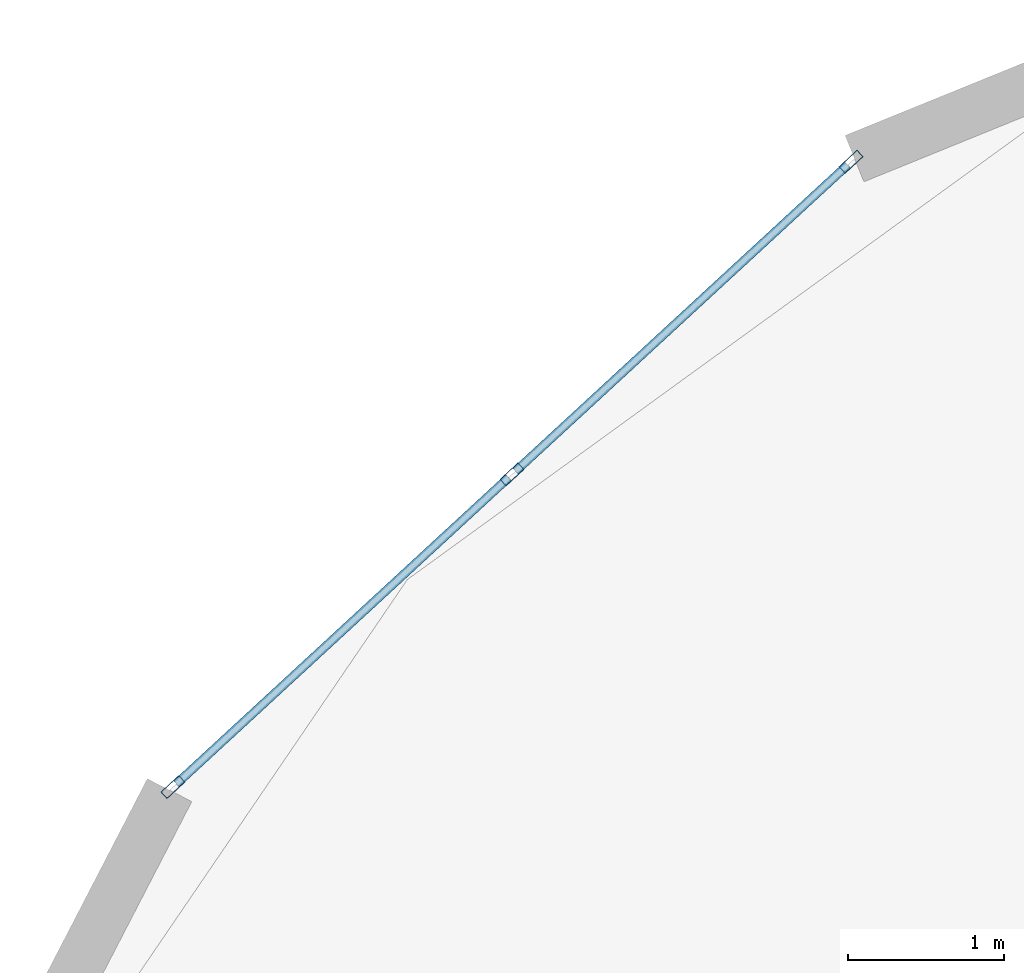
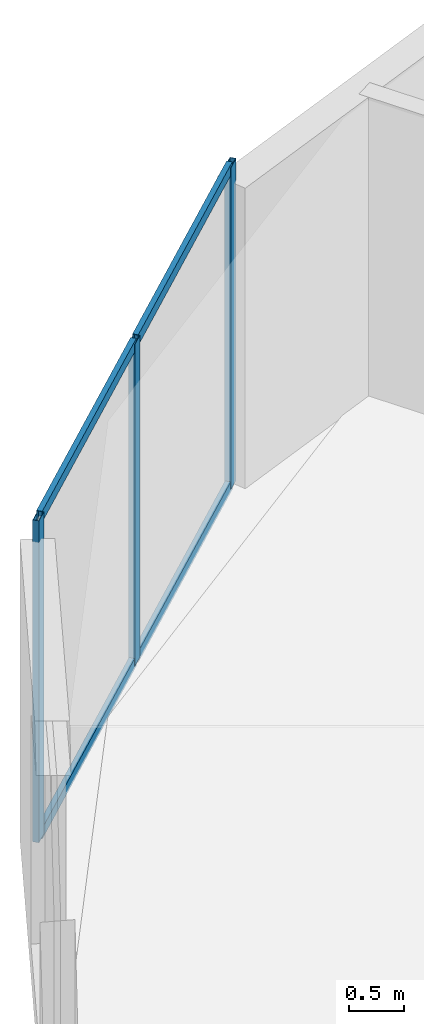
# One storey, part 15 of 24: 7 members, 1 element without a shape of its own.
"""IFC4 building model written with IfcOpenShell, lengths in metres."""

import ifcopenshell
import ifcopenshell.guid

model = None  # the IFC model being written
_history = None  # IfcOwnerHistory: only IFC2X3 demands one
_inside = {}  # id of a spatial element -> (the spatial element, [elements in it])
_under = {}  # id of a project, library or spatial element -> (it, [spatial elements below it])
_declared = {}  # id of a project -> (the project, [libraries it declares])
_typed = {}  # id of a type object -> (the type object, [elements of that type])
_made_of = {}  # id of a material, layer set ... -> (it, [elements and type objects made of it])


def new_model(schema):
    """Start an empty IFC model of exactly this schema.

    Asked for "IFC4X3", IfcOpenShell would pick the latest addendum, in which some entities
    have other attributes; the version numbers below select the first issue.
    IFC2X3 requires an IfcOwnerHistory on every rooted entity: one is made here for all.
    """
    global model, _history
    if schema == "IFC4X3":
        model = ifcopenshell.file(schema_version=(4, 3, 0, 0))
    else:
        model = ifcopenshell.file(schema=schema)
    _inside.clear()
    _under.clear()
    _declared.clear()
    _typed.clear()
    _made_of.clear()
    _history = None
    if model.schema == "IFC2X3":
        org = make("IfcOrganization", Name="unknown")
        user = make(
            "IfcPersonAndOrganization",
            ThePerson=make("IfcPerson", FamilyName="unknown"),
            TheOrganization=org,
        )
        app = make(
            "IfcApplication",
            ApplicationDeveloper=org,
            Version="unknown",
            ApplicationFullName="unknown",
            ApplicationIdentifier="unknown",
        )
        _history = make(
            "IfcOwnerHistory",
            OwningUser=user,
            OwningApplication=app,
            ChangeAction="ADDED",
            CreationDate=0,
        )
    return model


def make(cls, **values):
    """One entity of the class cls with the attributes given. An attribute that is None is left unset."""
    return model.create_entity(
        cls, **{name: value for name, value in values.items() if value is not None}
    )


def rooted(cls, **values):
    """An entity with a GlobalId (a new one), such as an element, a storey or a relation."""
    return make(cls, GlobalId=ifcopenshell.guid.new(), OwnerHistory=_history, **values)


def si_unit(unit_type, name, prefix=None):
    """IfcSIUnit, for example si_unit("LENGTHUNIT", "METRE", prefix="MILLI")."""
    return make("IfcSIUnit", UnitType=unit_type, Prefix=prefix, Name=name)


def assignment(units):
    """IfcUnitAssignment: the units of a project."""
    return None if units is None else make("IfcUnitAssignment", Units=units)


def point(xyz):
    """IfcCartesianPoint."""
    return None if xyz is None else make("IfcCartesianPoint", Coordinates=xyz)


def direction(xyz):
    """IfcDirection."""
    return None if xyz is None else make("IfcDirection", DirectionRatios=xyz)


def frame(location, z_axis=None, x_axis=None):
    """IfcAxis2Placement3D, a coordinate frame: its origin and axes. An axis left out is left unset."""
    return make(
        "IfcAxis2Placement3D",
        Location=point(location),
        Axis=direction(z_axis),
        RefDirection=direction(x_axis),
    )


def frame_2d(location, x_axis=None):
    """IfcAxis2Placement2D, a coordinate frame in the plane: its origin and x axis."""
    return make(
        "IfcAxis2Placement2D", Location=point(location), RefDirection=direction(x_axis)
    )


def origin():
    """The frame at (0, 0, 0) with its axes left unset."""
    return frame((0.0, 0.0, 0.0))


def origin_2d():
    """The frame at (0, 0) in the plane with its x axis left unset."""
    return frame_2d((0.0, 0.0))


def place(relative_to, where):
    """IfcLocalPlacement: puts the frame where relative to a parent placement (None: the world)."""
    return make(
        "IfcLocalPlacement", PlacementRelTo=relative_to, RelativePlacement=where
    )


def context(
    kind, dimensions, precision=None, world=None, true_north=None, identifier=None
):
    """IfcGeometricRepresentationContext, for example the 3D "Model" context."""
    return make(
        "IfcGeometricRepresentationContext",
        ContextIdentifier=identifier,
        ContextType=kind,
        CoordinateSpaceDimension=dimensions,
        Precision=precision,
        WorldCoordinateSystem=world,
        TrueNorth=true_north,
    )


def subcontext(parent, identifier, kind, view, scale=None):
    """IfcGeometricRepresentationSubContext, for example "Body" below "Model"."""
    return make(
        "IfcGeometricRepresentationSubContext",
        ContextIdentifier=identifier,
        ContextType=kind,
        ParentContext=parent,
        TargetScale=scale,
        TargetView=view,
    )


def project(units=None, contexts=None):
    """IfcProject with its units and contexts."""
    return rooted(
        "IfcProject",
        Name="project",
        RepresentationContexts=contexts,
        UnitsInContext=assignment(units),
    )


def spatial(cls, under=None, at=None, **own):
    """A site, building, storey or space (cls), placed at a placement, below another one or the project."""
    s = rooted(cls, ObjectPlacement=at, **own)
    if under is not None:
        _under.setdefault(under.id(), (under, []))[1].append(s)
    return s


def profile(cls, at=None, kind="AREA", **sizes):
    """A parametric profile (cls). Its sizes go by their IFC names, for example OverallWidth=200.0."""
    return make(cls, ProfileType=kind, Position=at, **sizes)


def hollow_rectangle(**sizes):
    """IfcRectangleHollowProfileDef."""
    return profile("IfcRectangleHollowProfileDef", **sizes)


def extrude(swept, where, along, depth):
    """IfcExtrudedAreaSolid: the profile swept, set in the frame where, extruded along a direction by depth."""
    return make(
        "IfcExtrudedAreaSolid",
        SweptArea=swept,
        Position=where,
        ExtrudedDirection=direction(along),
        Depth=depth,
    )


def shape(context_of_items, identifier, shape_type, items):
    """IfcShapeRepresentation: the items that make up one representation, for example the "Body"."""
    return make(
        "IfcShapeRepresentation",
        ContextOfItems=context_of_items,
        RepresentationIdentifier=identifier,
        RepresentationType=shape_type,
        Items=items,
    )


def source(mapping_origin, context_of_items, identifier, shape_type, items):
    """IfcRepresentationMap: a shape defined once, which mapped items show again and again."""
    return make(
        "IfcRepresentationMap",
        MappingOrigin=mapping_origin,
        MappedRepresentation=shape(context_of_items, identifier, shape_type, items),
    )


def transform(
    local_origin,
    x_axis=None,
    y_axis=None,
    z_axis=None,
    scale=None,
    scale2=None,
    scale3=None,
    uniform=True,
):
    """IfcCartesianTransformationOperator3D, or its non-uniform kind. x_axis, y_axis, z_axis: its Axis1, 2, 3."""
    if uniform:
        return make(
            "IfcCartesianTransformationOperator3D",
            Axis1=direction(x_axis),
            Axis2=direction(y_axis),
            LocalOrigin=point(local_origin),
            Scale=scale,
            Axis3=direction(z_axis),
        )
    return make(
        "IfcCartesianTransformationOperator3DnonUniform",
        Axis1=direction(x_axis),
        Axis2=direction(y_axis),
        LocalOrigin=point(local_origin),
        Scale=scale,
        Axis3=direction(z_axis),
        Scale2=scale2,
        Scale3=scale3,
    )


def mapped(mapping_source, mapping_target):
    """IfcMappedItem: shows the shape of a source again, moved by a transform."""
    return make(
        "IfcMappedItem", MappingSource=mapping_source, MappingTarget=mapping_target
    )


def material(Name=None, Category=None):
    """IfcMaterial."""
    return make("IfcMaterial", Name=Name, Category=Category)


def layer(
    of_material, thickness, ventilated=None, Name=None, Category=None, Priority=None
):
    """IfcMaterialLayer: one layer of a wall or slab, of a material (None: an air gap)."""
    return make(
        "IfcMaterialLayer",
        Material=of_material,
        LayerThickness=thickness,
        IsVentilated=ventilated,
        Name=Name,
        Category=Category,
        Priority=Priority,
    )


def layer_set(layers, Name=None):
    """IfcMaterialLayerSet."""
    return make("IfcMaterialLayerSet", MaterialLayers=layers, LayerSetName=Name)


def material_profile(
    of_material, cross_section, Name=None, Category=None, Priority=None
):
    """IfcMaterialProfile: a cross section and its material."""
    return make(
        "IfcMaterialProfile",
        Name=Name,
        Material=of_material,
        Profile=cross_section,
        Priority=Priority,
        Category=Category,
    )


def profile_set(profiles, Name=None, composite=None):
    """IfcMaterialProfileSet."""
    return make(
        "IfcMaterialProfileSet",
        Name=Name,
        MaterialProfiles=profiles,
        CompositeProfile=composite,
    )


def made_of(thing, what):
    """Note that an element or type object is made of a material, layer set ...; save() writes the relation."""
    if what is not None:
        _made_of.setdefault(what.id(), (what, []))[1].append(thing)
    return thing


def type_object(cls, material=None, **own):
    """A type object (cls), such as IfcWallType, which elements share."""
    return made_of(rooted(cls, **own), material)


def element(
    cls,
    number,
    at=None,
    inside=None,
    cuts=None,
    type_object=None,
    material=None,
    context=None,
    identifier="Body",
    shape_type=None,
    held_by="IfcProductDefinitionShape",
    body=None,
    shapes=None,
    **own,
):
    """One element of the class cls, such as IfcWall. Its Tag is "e" and its number.

    at: its placement. inside: the storey or other place that contains it. cuts: it is an
    opening in that element (IfcRelVoidsElement). A single representation is given by context,
    identifier, shape_type and body (its items); several are given by shapes. held_by: the class
    of the entity that holds the representations. save() writes the other relations.
    """
    e = rooted(cls, Tag="e%d" % number, ObjectPlacement=at, **own)
    if body is not None:
        shapes = [shape(context, identifier, shape_type, body)]
    if shapes is not None:
        e.Representation = make(held_by, Representations=shapes)
    if inside is not None:
        _inside.setdefault(inside.id(), (inside, []))[1].append(e)
    if cuts is not None:
        rooted(
            "IfcRelVoidsElement", RelatingBuildingElement=cuts, RelatedOpeningElement=e
        )
    if type_object is not None:
        _typed.setdefault(type_object.id(), (type_object, []))[1].append(e)
    return made_of(e, material)


def aggregate(whole, parts):
    """IfcRelAggregates: a whole, such as a stair, and the parts it consists of."""
    return rooted("IfcRelAggregates", RelatingObject=whole, RelatedObjects=parts)


def save(model, path):
    """Write the relations noted so far, then the file.

    IfcRelAggregates (storeys below a building ...), IfcRelContainedInSpatialStructure (elements
    in a storey), IfcRelDefinesByType, IfcRelAssociatesMaterial and IfcRelDeclares: one each for
    every whole, place, type object, material and project.
    """
    for whole, parts in _under.values():
        aggregate(whole, parts)
    for where, things in _inside.values():
        rooted(
            "IfcRelContainedInSpatialStructure",
            RelatedElements=things,
            RelatingStructure=where,
        )
    for kind, things in _typed.values():
        rooted("IfcRelDefinesByType", RelatedObjects=things, RelatingType=kind)
    for what, things in _made_of.values():
        rooted("IfcRelAssociatesMaterial", RelatedObjects=things, RelatingMaterial=what)
    for by, libraries in _declared.values():
        rooted("IfcRelDeclares", RelatingContext=by, RelatedDefinitions=libraries)
    model.write(path)


model = new_model("IFC4")

# Units and contexts
model_context = context("Model", 3, precision=1e-05, world=origin(), true_north=direction((0.0, 1.0)))
body_context = subcontext(model_context, "Body", "Model", "MODEL_VIEW")
ifc_project = project(units=[si_unit("LENGTHUNIT", "METRE"), si_unit("AREAUNIT", "SQUARE_METRE"), si_unit("VOLUMEUNIT", "CUBIC_METRE"), si_unit("PLANEANGLEUNIT", "RADIAN"), si_unit("MASSUNIT", "GRAM", prefix="KILO")], contexts=[model_context])

# Site, building, storey
site_placement = place(None, origin())
site = spatial("IfcSite", under=ifc_project, at=site_placement, CompositionType="ELEMENT")
building_placement = place(site_placement, origin())
building = spatial("IfcBuilding", under=site, at=building_placement, Name="Solvirekh Grand Hotel", CompositionType="ELEMENT")
storey_placement = place(building_placement, frame((0.0, 0.0, 184.0)))
storey = spatial("IfcBuildingStorey", under=building, at=storey_placement, Name="L47", CompositionType="ELEMENT", Elevation=184.0)

# Curtain wall, members
ifc_material = material(Name="Anodized Bronze Aluminium 6063-T6", Category="aluminium")
ifc_layer = layer(ifc_material, 0.159912109375)
ifc_layer_set = layer_set([ifc_layer], Name="Anodized Bronze Aluminium 6063-T6")
curtain_wall_type = type_object("IfcCurtainWallType", Name="CW_Sys4_HighZoneFlushBronzeCW", PredefinedType="NOTDEFINED", material=ifc_layer_set)
curtain_wall_placement = place(storey_placement, origin())
curtain_wall = element("IfcCurtainWall", 1, at=curtain_wall_placement, inside=storey, type_object=curtain_wall_type, Name="L47 unitised bronze-glass curtain wall CW-L47-C11", PredefinedType="NOTDEFINED")
ifc_material_profile_1 = material_profile(ifc_material, hollow_rectangle(XDim=0.06005859375, YDim=0.159912109375, WallThickness=0.0048828125, at=origin_2d()), Name="ALU RHS 160X60X5")
ifc_profile_set_1 = profile_set([ifc_material_profile_1], Name="Anodized Bronze Aluminium 6063-T6")
member_type_1 = type_object("IfcMemberType", Name="CWMullion_Sys4", PredefinedType="MULLION", material=ifc_profile_set_1)
shared_shape_1 = source(origin(), body_context, "Body", "SweptSolid", [
    extrude(hollow_rectangle(XDim=0.06005859375, YDim=0.159912109375, WallThickness=0.0048828125, at=origin_2d()), origin(), (0.0, 0.0, 1.0), 3.60009765625),
])
member_1_placement = place(storey_placement, frame((-12.826171875, 18.34375, 0.0), z_axis=(0.0, 0.0, 1.0), x_axis=(0.677869340512, -0.735182397228, 0.0)))
member_1 = element("IfcMember", 2, at=member_1_placement, type_object=member_type_1, Name="U04 mullion 1", PredefinedType="MULLION", context=body_context, shape_type="MappedRepresentation", body=[
    mapped(shared_shape_1, transform((0.0, 0.0, 0.0), x_axis=(1.0, 0.0, 0.0), y_axis=(0.0, 1.0, 0.0), z_axis=(0.0, 0.0, 1.0), scale=1.0)),
])
member_2_placement = place(storey_placement, frame((-14.99755859375, 16.341552734375, 0.0), z_axis=(0.0, 0.0, 1.0), x_axis=(0.677869340512, -0.735182397228, 0.0)))
member_2 = element("IfcMember", 3, at=member_2_placement, type_object=member_type_1, Name="U04 mullion 2", PredefinedType="MULLION", context=body_context, shape_type="MappedRepresentation", body=[
    mapped(shared_shape_1, transform((0.0, 0.0, 0.0), x_axis=(1.0, 0.0, 0.0), y_axis=(0.0, 1.0, 0.0), z_axis=(0.0, 0.0, 1.0), scale=1.0)),
])
member_3_placement = place(storey_placement, frame((-17.1689453125, 14.33935546875, 0.0), z_axis=(0.0, 0.0, 1.0), x_axis=(0.677869340512, -0.735182397228, 0.0)))
member_3 = element("IfcMember", 4, at=member_3_placement, type_object=member_type_1, Name="U04 mullion 3", PredefinedType="MULLION", context=body_context, shape_type="MappedRepresentation", body=[
    mapped(shared_shape_1, transform((0.0, 0.0, 0.0), x_axis=(1.0, 0.0, 0.0), y_axis=(0.0, 1.0, 0.0), z_axis=(0.0, 0.0, 1.0), scale=1.0)),
])
ifc_material_profile_2 = material_profile(ifc_material, hollow_rectangle(XDim=0.054931640625, YDim=0.1201171875, WallThickness=0.00390625, at=origin_2d()), Name="ALU RHS 120X55X4")
ifc_profile_set_2 = profile_set([ifc_material_profile_2], Name="Anodized Bronze Aluminium 6063-T6")
member_type_2 = type_object("IfcMemberType", Name="CWTransom_Sys4", PredefinedType="USERDEFINED", material=ifc_profile_set_2)
shared_shape_2 = source(origin(), body_context, "Body", "SweptSolid", [
    extrude(hollow_rectangle(XDim=0.054931640625, YDim=0.1201171875, WallThickness=0.00390625, at=origin_2d()), origin(), (0.0, 0.0, 1.0), 2.8935546875),
])
member_4_placement = place(storey_placement, frame((-12.84814453125, 18.3232421875, 0.027587890625), z_axis=(-0.73517211238, -0.677880494762, 0.0), x_axis=(0.677880494762, -0.73517211238, 0.0)))
member_4 = element("IfcMember", 5, at=member_4_placement, type_object=member_type_2, Name="U04 transom 1.1", ObjectType="TRANSOM", PredefinedType="USERDEFINED", context=body_context, shape_type="MappedRepresentation", body=[
    mapped(shared_shape_2, transform((0.0, 0.0, 0.0), x_axis=(1.0, 0.0, 0.0), y_axis=(0.0, 1.0, 0.0), z_axis=(0.0, 0.0, 1.0), scale=1.0)),
])
member_5_placement = place(storey_placement, frame((-12.84814453125, 18.3232421875, 3.572509765625), z_axis=(-0.73517211238, -0.677880494762, 0.0), x_axis=(0.677880494762, -0.73517211238, 0.0)))
member_5 = element("IfcMember", 6, at=member_5_placement, type_object=member_type_2, Name="U04 transom 1.2", ObjectType="TRANSOM", PredefinedType="USERDEFINED", context=body_context, shape_type="MappedRepresentation", body=[
    mapped(shared_shape_2, transform((0.0, 0.0, 0.0), x_axis=(1.0, 0.0, 0.0), y_axis=(0.0, 1.0, 0.0), z_axis=(0.0, 0.0, 1.0), scale=1.0)),
])
member_6_placement = place(storey_placement, frame((-15.01953125, 16.321044921875, 0.027587890625), z_axis=(-0.73521088161, -0.677838446506, 0.0), x_axis=(0.677838446506, -0.73521088161, 0.0)))
member_6 = element("IfcMember", 7, at=member_6_placement, type_object=member_type_2, Name="U04 transom 2.1", ObjectType="TRANSOM", PredefinedType="USERDEFINED", context=body_context, shape_type="MappedRepresentation", body=[
    mapped(shared_shape_2, transform((0.0, 0.0, 0.0), x_axis=(1.0, 0.0, 0.0), y_axis=(0.0, 1.0, 0.0), z_axis=(0.0, 0.0, 1.0), scale=1.0)),
])
member_7_placement = place(storey_placement, frame((-15.01953125, 16.321044921875, 3.572509765625), z_axis=(-0.73521088161, -0.677838446506, 0.0), x_axis=(0.677838446506, -0.73521088161, 0.0)))
member_7 = element("IfcMember", 8, at=member_7_placement, type_object=member_type_2, Name="U04 transom 2.2", ObjectType="TRANSOM", PredefinedType="USERDEFINED", context=body_context, shape_type="MappedRepresentation", body=[
    mapped(shared_shape_2, transform((0.0, 0.0, 0.0), x_axis=(1.0, 0.0, 0.0), y_axis=(0.0, 1.0, 0.0), z_axis=(0.0, 0.0, 1.0), scale=1.0)),
])
aggregate(curtain_wall, [member_1, member_2, member_3, member_4, member_5, member_6, member_7])

save(model, "model.ifc")
